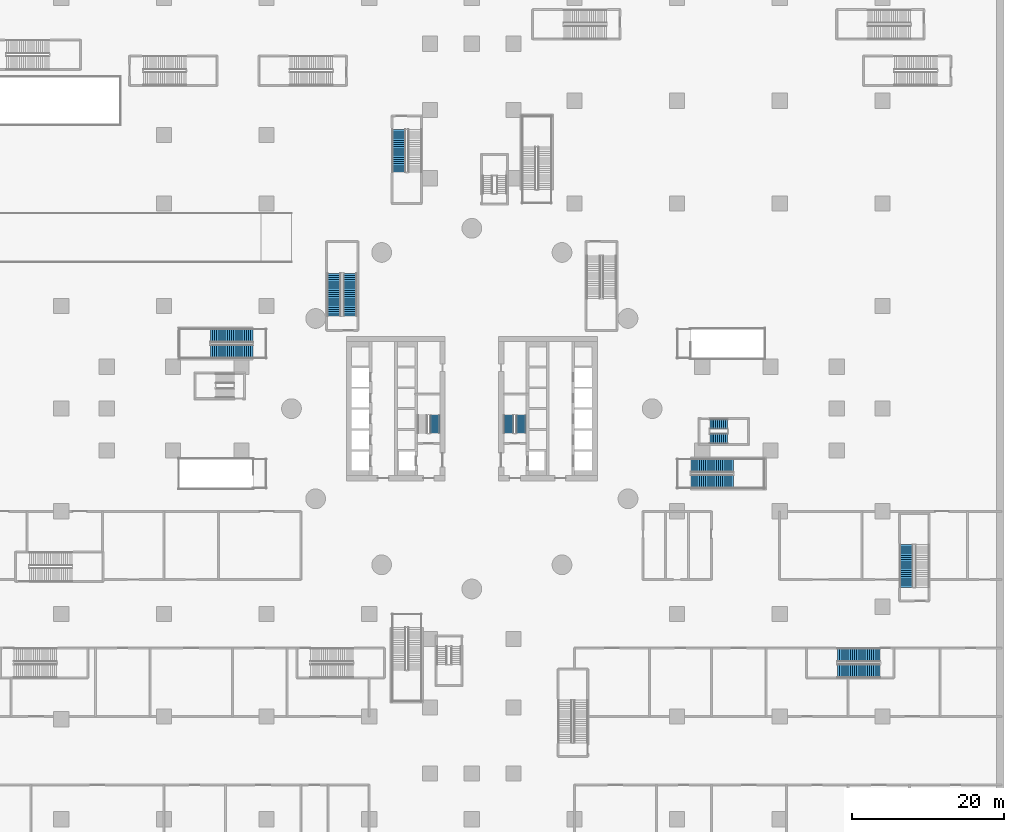
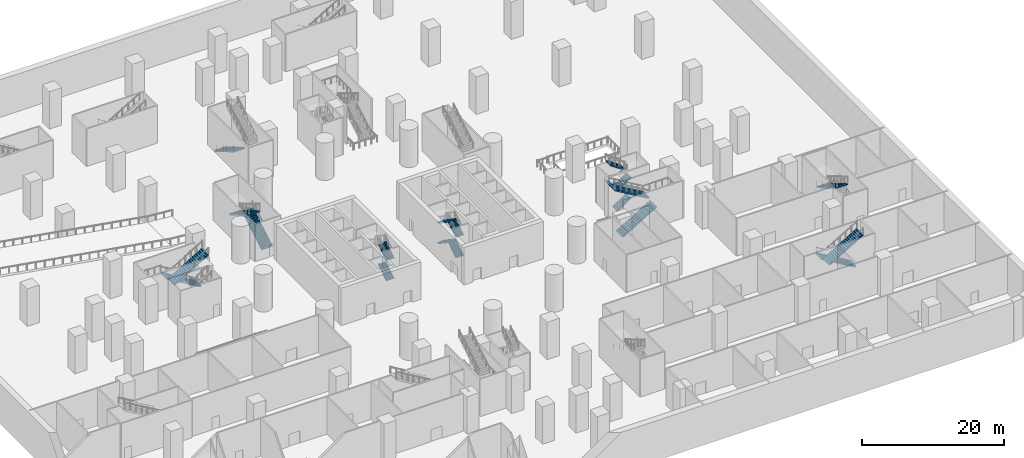
# One storey, part 17 of 37: 20 stair flights, 9 elements without a shape of their own.
"""IFC4 building model written with IfcOpenShell, lengths in metres."""

from ifc_helpers import new_model, si_unit, direction, frame, origin, place, context, subcontext, project, spatial, polyline, outline, extrude, material, type_object, element, aggregate, save


model = new_model("IFC4")

# Units and contexts
model_context = context("Model", 3, precision=1e-05, world=origin(), true_north=direction((0.0, 1.0)))
body_context = subcontext(model_context, "Body", "Model", "MODEL_VIEW")
ifc_project = project(units=[si_unit("LENGTHUNIT", "METRE"), si_unit("AREAUNIT", "SQUARE_METRE"), si_unit("VOLUMEUNIT", "CUBIC_METRE"), si_unit("PLANEANGLEUNIT", "RADIAN"), si_unit("MASSUNIT", "GRAM", prefix="KILO")], contexts=[model_context])

# Site, building, storey
site_placement = place(None, origin())
site = spatial("IfcSite", under=ifc_project, at=site_placement, CompositionType="ELEMENT")
building_placement = place(site_placement, origin())
building = spatial("IfcBuilding", under=site, at=building_placement, Name="Tamarind Cross Interchange Tower", CompositionType="ELEMENT")
storey_placement = place(building_placement, frame((0.0, 0.0, -7.0)))
storey = spatial("IfcBuildingStorey", under=building, at=storey_placement, Name="B1", CompositionType="ELEMENT", Elevation=-7.0)

# Stair, stair flights
ifc_material_1 = material(Name="Exit stair")
stair_type_1 = type_object("IfcStairType", Name="Exit stair", PredefinedType="HALF_TURN_STAIR", material=ifc_material_1)
stair_1_placement = place(storey_placement, origin())
stair_1 = element("IfcStair", 1, at=stair_1_placement, inside=storey, type_object=stair_type_1, Name="B1 exit stair ST1", PredefinedType="HALF_TURN_STAIR")
ifc_material_2 = material(Name="Exit stair flight")
stair_flight_type_1 = type_object("IfcStairFlightType", Name="Exit stair flight", PredefinedType="STRAIGHT", material=ifc_material_2)
stair_flight_1_placement = place(storey_placement, frame((-4.85009765625, -3.199951171875, 0.0), z_axis=(0.0, 0.0, 1.0), x_axis=(0.0, 1.0, 0.0)))
stair_flight_1 = element("IfcStairFlight", 2, at=stair_flight_1_placement, type_object=stair_flight_type_1, Name="ST1 flight 1", NumberOfRisers=10, NumberOfTreads=9, PredefinedType="STRAIGHT", RiserHeight=0.175, TreadLength=0.26, context=body_context, shape_type="SweptSolid", body=[
    extrude(outline(polyline([(0.0, 0.0), (0.0, 0.175048828125), (0.260009765625, 0.175048828125), (0.260009765625, 0.35009765625), (0.52001953125, 0.35009765625), (0.52001953125, 0.52490234375), (0.780029296875, 0.52490234375), (0.780029296875, 0.699951171875), (1.0400390625, 0.699951171875), (1.0400390625, 0.875), (1.300048828125, 0.875), (1.300048828125, 1.050048828125), (1.56005859375, 1.050048828125), (1.56005859375, 1.22509765625), (1.820068359375, 1.22509765625), (1.820068359375, 1.39990234375), (2.080078125, 1.39990234375), (2.080078125, 1.574951171875), (2.340087890625, 1.574951171875), (2.340087890625, 1.75), (2.340087890625, 1.394287109375), (0.2685546875, 0.0), (0.0, 0.0)])), frame((0.0, 0.64990234375, 0.0), z_axis=(0.0, -1.0, 0.0), x_axis=(1.0, 0.0, 0.0)), (0.0, 0.0, 1.0), 1.300048828125),
])
stair_flight_2_placement = place(storey_placement, frame((-4.85009765625, -3.199951171875, 3.5), z_axis=(0.0, 0.0, 1.0), x_axis=(0.0, 1.0, 0.0)))
stair_flight_2 = element("IfcStairFlight", 3, at=stair_flight_2_placement, type_object=stair_flight_type_1, Name="ST1 flight 3", NumberOfRisers=10, NumberOfTreads=9, PredefinedType="STRAIGHT", RiserHeight=0.175, TreadLength=0.26, context=body_context, shape_type="SweptSolid", body=[
    extrude(outline(polyline([(0.0, 0.0), (0.0, 0.175048828125), (0.260009765625, 0.175048828125), (0.260009765625, 0.35009765625), (0.52001953125, 0.35009765625), (0.52001953125, 0.52490234375), (0.780029296875, 0.52490234375), (0.780029296875, 0.699951171875), (1.0400390625, 0.699951171875), (1.0400390625, 0.875), (1.300048828125, 0.875), (1.300048828125, 1.050048828125), (1.56005859375, 1.050048828125), (1.56005859375, 1.22509765625), (1.820068359375, 1.22509765625), (1.820068359375, 1.39990234375), (2.080078125, 1.39990234375), (2.080078125, 1.574951171875), (2.340087890625, 1.574951171875), (2.340087890625, 1.75), (2.340087890625, 1.394287109375), (0.2685546875, 0.0), (0.0, 0.0)])), frame((0.0, 0.64990234375, 0.0), z_axis=(0.0, -1.0, 0.0), x_axis=(1.0, 0.0, 0.0)), (0.0, 0.0, 1.0), 1.300048828125),
])
aggregate(stair_1, [stair_flight_1, stair_flight_2])

stair_2_placement = place(storey_placement, origin())
stair_2 = element("IfcStair", 4, at=stair_2_placement, inside=storey, type_object=stair_type_1, Name="B1 exit stair ST2", PredefinedType="HALF_TURN_STAIR")
stair_flight_3_placement = place(storey_placement, frame((6.5, -3.199951171875, 0.0), z_axis=(0.0, 0.0, 1.0), x_axis=(0.0, 1.0, 0.0)))
stair_flight_3 = element("IfcStairFlight", 5, at=stair_flight_3_placement, type_object=stair_flight_type_1, Name="ST2 flight 1", NumberOfRisers=10, NumberOfTreads=9, PredefinedType="STRAIGHT", RiserHeight=0.175, TreadLength=0.26, context=body_context, shape_type="SweptSolid", body=[
    extrude(outline(polyline([(0.0, 0.0), (0.0, 0.175048828125), (0.260009765625, 0.175048828125), (0.260009765625, 0.35009765625), (0.52001953125, 0.35009765625), (0.52001953125, 0.52490234375), (0.780029296875, 0.52490234375), (0.780029296875, 0.699951171875), (1.0400390625, 0.699951171875), (1.0400390625, 0.875), (1.300048828125, 0.875), (1.300048828125, 1.050048828125), (1.56005859375, 1.050048828125), (1.56005859375, 1.22509765625), (1.820068359375, 1.22509765625), (1.820068359375, 1.39990234375), (2.080078125, 1.39990234375), (2.080078125, 1.574951171875), (2.340087890625, 1.574951171875), (2.340087890625, 1.75), (2.340087890625, 1.394287109375), (0.2685546875, 0.0), (0.0, 0.0)])), frame((0.0, 0.64990234375, 0.0), z_axis=(0.0, -1.0, 0.0), x_axis=(1.0, 0.0, 0.0)), (0.0, 0.0, 1.0), 1.300048828125),
])
stair_flight_4_placement = place(storey_placement, frame((4.85009765625, -0.860107421875, 1.75), z_axis=(0.0, 0.0, 1.0), x_axis=(0.0, -1.0, 0.0)))
stair_flight_4 = element("IfcStairFlight", 6, at=stair_flight_4_placement, type_object=stair_flight_type_1, Name="ST2 flight 2", NumberOfRisers=10, NumberOfTreads=9, PredefinedType="STRAIGHT", RiserHeight=0.175, TreadLength=0.26, context=body_context, shape_type="SweptSolid", body=[
    extrude(outline(polyline([(0.0, 0.0), (0.0, 0.175048828125), (0.260009765625, 0.175048828125), (0.260009765625, 0.35009765625), (0.52001953125, 0.35009765625), (0.52001953125, 0.52490234375), (0.780029296875, 0.52490234375), (0.780029296875, 0.699951171875), (1.0400390625, 0.699951171875), (1.0400390625, 0.875), (1.300048828125, 0.875), (1.300048828125, 1.050048828125), (1.56005859375, 1.050048828125), (1.56005859375, 1.22509765625), (1.820068359375, 1.22509765625), (1.820068359375, 1.39990234375), (2.080078125, 1.39990234375), (2.080078125, 1.574951171875), (2.340087890625, 1.574951171875), (2.340087890625, 1.75), (2.340087890625, 1.394287109375), (0.2685546875, 0.0), (0.0, 0.0)])), frame((0.0, 0.64990234375, 0.0), z_axis=(0.0, -1.0, 0.0), x_axis=(1.0, 0.0, 0.0)), (0.0, 0.0, 1.0), 1.300048828125),
])
stair_flight_5_placement = place(storey_placement, frame((6.5, -3.199951171875, 3.5), z_axis=(0.0, 0.0, 1.0), x_axis=(0.0, 1.0, 0.0)))
stair_flight_5 = element("IfcStairFlight", 7, at=stair_flight_5_placement, type_object=stair_flight_type_1, Name="ST2 flight 3", NumberOfRisers=10, NumberOfTreads=9, PredefinedType="STRAIGHT", RiserHeight=0.175, TreadLength=0.26, context=body_context, shape_type="SweptSolid", body=[
    extrude(outline(polyline([(0.0, 0.0), (0.0, 0.175048828125), (0.260009765625, 0.175048828125), (0.260009765625, 0.35009765625), (0.52001953125, 0.35009765625), (0.52001953125, 0.52490234375), (0.780029296875, 0.52490234375), (0.780029296875, 0.699951171875), (1.0400390625, 0.699951171875), (1.0400390625, 0.875), (1.300048828125, 0.875), (1.300048828125, 1.050048828125), (1.56005859375, 1.050048828125), (1.56005859375, 1.22509765625), (1.820068359375, 1.22509765625), (1.820068359375, 1.39990234375), (2.080078125, 1.39990234375), (2.080078125, 1.574951171875), (2.340087890625, 1.574951171875), (2.340087890625, 1.75), (2.340087890625, 1.394287109375), (0.2685546875, 0.0), (0.0, 0.0)])), frame((0.0, 0.64990234375, 0.0), z_axis=(0.0, -1.0, 0.0), x_axis=(1.0, 0.0, 0.0)), (0.0, 0.0, 1.0), 1.300048828125),
])
stair_flight_6_placement = place(storey_placement, frame((4.85009765625, -0.860107421875, 5.25), z_axis=(0.0, 0.0, 1.0), x_axis=(0.0, -1.0, 0.0)))
stair_flight_6 = element("IfcStairFlight", 8, at=stair_flight_6_placement, type_object=stair_flight_type_1, Name="ST2 flight 4", NumberOfRisers=10, NumberOfTreads=9, PredefinedType="STRAIGHT", RiserHeight=0.175, TreadLength=0.26, context=body_context, shape_type="SweptSolid", body=[
    extrude(outline(polyline([(0.0, 0.0), (0.0, 0.175048828125), (0.260009765625, 0.175048828125), (0.260009765625, 0.35009765625), (0.52001953125, 0.35009765625), (0.52001953125, 0.52490234375), (0.780029296875, 0.52490234375), (0.780029296875, 0.699951171875), (1.0400390625, 0.699951171875), (1.0400390625, 0.875), (1.300048828125, 0.875), (1.300048828125, 1.050048828125), (1.56005859375, 1.050048828125), (1.56005859375, 1.22509765625), (1.820068359375, 1.22509765625), (1.820068359375, 1.39990234375), (2.080078125, 1.39990234375), (2.080078125, 1.574951171875), (2.340087890625, 1.574951171875), (2.340087890625, 1.75), (2.340087890625, 1.394287109375), (0.2685546875, 0.0), (0.0, 0.0)])), frame((0.0, 0.64990234375, 0.0), z_axis=(0.0, -1.0, 0.0), x_axis=(1.0, 0.0, 0.0)), (0.0, 0.0, 1.0), 1.300048828125),
])
aggregate(stair_2, [stair_flight_3, stair_flight_4, stair_flight_5, stair_flight_6])

stair_3_placement = place(storey_placement, origin())
stair_3 = element("IfcStair", 9, at=stair_3_placement, inside=storey, type_object=stair_type_1, Name="B1 exit stair ST3", PredefinedType="HALF_TURN_STAIR")
stair_flight_7_placement = place(storey_placement, frame((31.300048828125, -3.949951171875, 0.0), z_axis=(0.0, 0.0, 1.0), x_axis=(1.0, 0.0, 0.0)))
stair_flight_7 = element("IfcStairFlight", 10, at=stair_flight_7_placement, type_object=stair_flight_type_1, Name="ST3 flight 1", NumberOfRisers=10, NumberOfTreads=9, PredefinedType="STRAIGHT", RiserHeight=0.175, TreadLength=0.26, context=body_context, shape_type="SweptSolid", body=[
    extrude(outline(polyline([(0.0, 0.0), (0.0, 0.175048828125), (0.260009765625, 0.175048828125), (0.260009765625, 0.35009765625), (0.52001953125, 0.35009765625), (0.52001953125, 0.52490234375), (0.780029296875, 0.52490234375), (0.780029296875, 0.699951171875), (1.0400390625, 0.699951171875), (1.0400390625, 0.875), (1.300048828125, 0.875), (1.300048828125, 1.050048828125), (1.56005859375, 1.050048828125), (1.56005859375, 1.22509765625), (1.820068359375, 1.22509765625), (1.820068359375, 1.39990234375), (2.080078125, 1.39990234375), (2.080078125, 1.574951171875), (2.340087890625, 1.574951171875), (2.340087890625, 1.75), (2.340087890625, 1.394287109375), (0.2685546875, 0.0), (0.0, 0.0)])), frame((0.0, 0.64990234375, 0.0), z_axis=(0.0, -1.0, 0.0), x_axis=(1.0, 0.0, 0.0)), (0.0, 0.0, 1.0), 1.300048828125),
])
stair_flight_8_placement = place(storey_placement, frame((33.639892578125, -2.050048828125, 1.75), z_axis=(0.0, 0.0, 1.0), x_axis=(-1.0, 0.0, 0.0)))
stair_flight_8 = element("IfcStairFlight", 11, at=stair_flight_8_placement, type_object=stair_flight_type_1, Name="ST3 flight 2", NumberOfRisers=10, NumberOfTreads=9, PredefinedType="STRAIGHT", RiserHeight=0.175, TreadLength=0.26, context=body_context, shape_type="SweptSolid", body=[
    extrude(outline(polyline([(0.0, 0.0), (0.0, 0.175048828125), (0.260009765625, 0.175048828125), (0.260009765625, 0.35009765625), (0.52001953125, 0.35009765625), (0.52001953125, 0.52490234375), (0.780029296875, 0.52490234375), (0.780029296875, 0.699951171875), (1.0400390625, 0.699951171875), (1.0400390625, 0.875), (1.300048828125, 0.875), (1.300048828125, 1.050048828125), (1.56005859375, 1.050048828125), (1.56005859375, 1.22509765625), (1.820068359375, 1.22509765625), (1.820068359375, 1.39990234375), (2.080078125, 1.39990234375), (2.080078125, 1.574951171875), (2.340087890625, 1.574951171875), (2.340087890625, 1.75), (2.340087890625, 1.394287109375), (0.2685546875, 0.0), (0.0, 0.0)])), frame((0.0, 0.64990234375, 0.0), z_axis=(0.0, -1.0, 0.0), x_axis=(1.0, 0.0, 0.0)), (0.0, 0.0, 1.0), 1.300048828125),
])
stair_flight_9_placement = place(storey_placement, frame((31.300048828125, -3.949951171875, 3.5), z_axis=(0.0, 0.0, 1.0), x_axis=(1.0, 0.0, 0.0)))
stair_flight_9 = element("IfcStairFlight", 12, at=stair_flight_9_placement, type_object=stair_flight_type_1, Name="ST3 flight 3", NumberOfRisers=10, NumberOfTreads=9, PredefinedType="STRAIGHT", RiserHeight=0.175, TreadLength=0.26, context=body_context, shape_type="SweptSolid", body=[
    extrude(outline(polyline([(0.0, 0.0), (0.0, 0.175048828125), (0.260009765625, 0.175048828125), (0.260009765625, 0.35009765625), (0.52001953125, 0.35009765625), (0.52001953125, 0.52490234375), (0.780029296875, 0.52490234375), (0.780029296875, 0.699951171875), (1.0400390625, 0.699951171875), (1.0400390625, 0.875), (1.300048828125, 0.875), (1.300048828125, 1.050048828125), (1.56005859375, 1.050048828125), (1.56005859375, 1.22509765625), (1.820068359375, 1.22509765625), (1.820068359375, 1.39990234375), (2.080078125, 1.39990234375), (2.080078125, 1.574951171875), (2.340087890625, 1.574951171875), (2.340087890625, 1.75), (2.340087890625, 1.394287109375), (0.2685546875, 0.0), (0.0, 0.0)])), frame((0.0, 0.64990234375, 0.0), z_axis=(0.0, -1.0, 0.0), x_axis=(1.0, 0.0, 0.0)), (0.0, 0.0, 1.0), 1.300048828125),
])
stair_flight_10_placement = place(storey_placement, frame((33.639892578125, -2.050048828125, 5.25), z_axis=(0.0, 0.0, 1.0), x_axis=(-1.0, 0.0, 0.0)))
stair_flight_10 = element("IfcStairFlight", 13, at=stair_flight_10_placement, type_object=stair_flight_type_1, Name="ST3 flight 4", NumberOfRisers=10, NumberOfTreads=9, PredefinedType="STRAIGHT", RiserHeight=0.175, TreadLength=0.26, context=body_context, shape_type="SweptSolid", body=[
    extrude(outline(polyline([(0.0, 0.0), (0.0, 0.175048828125), (0.260009765625, 0.175048828125), (0.260009765625, 0.35009765625), (0.52001953125, 0.35009765625), (0.52001953125, 0.52490234375), (0.780029296875, 0.52490234375), (0.780029296875, 0.699951171875), (1.0400390625, 0.699951171875), (1.0400390625, 0.875), (1.300048828125, 0.875), (1.300048828125, 1.050048828125), (1.56005859375, 1.050048828125), (1.56005859375, 1.22509765625), (1.820068359375, 1.22509765625), (1.820068359375, 1.39990234375), (2.080078125, 1.39990234375), (2.080078125, 1.574951171875), (2.340087890625, 1.574951171875), (2.340087890625, 1.75), (2.340087890625, 1.394287109375), (0.2685546875, 0.0), (0.0, 0.0)])), frame((0.0, 0.64990234375, 0.0), z_axis=(0.0, -1.0, 0.0), x_axis=(1.0, 0.0, 0.0)), (0.0, 0.0, 1.0), 1.300048828125),
])
aggregate(stair_3, [stair_flight_7, stair_flight_8, stair_flight_9, stair_flight_10])

ifc_material_3 = material(Name="Public stair")
stair_type_2 = type_object("IfcStairType", Name="Public stair", PredefinedType="HALF_TURN_STAIR", material=ifc_material_3)
stair_4_placement = place(storey_placement, origin())
stair_4 = element("IfcStair", 14, at=stair_4_placement, inside=storey, type_object=stair_type_2, Name="B1 public stair PS-E", PredefinedType="HALF_TURN_STAIR")
ifc_material_4 = material(Name="Public stair flight")
stair_flight_type_2 = type_object("IfcStairFlightType", Name="Public stair flight", PredefinedType="STRAIGHT", material=ifc_material_4)
stair_flight_11_placement = place(storey_placement, frame((28.800048828125, -9.60009765625, 0.0), z_axis=(0.0, 0.0, 1.0), x_axis=(1.0, 0.0, 0.0)))
stair_flight_11 = element("IfcStairFlight", 15, at=stair_flight_11_placement, type_object=stair_flight_type_2, Name="PS-E flight 1", NumberOfRisers=21, NumberOfTreads=20, PredefinedType="STRAIGHT", RiserHeight=0.166666667, TreadLength=0.28, context=body_context, shape_type="SweptSolid", body=[
    extrude(outline(polyline([(0.0, 0.0), (0.0, 0.166748046875), (0.280029296875, 0.166748046875), (0.280029296875, 0.333251953125), (0.56005859375, 0.333251953125), (0.56005859375, 0.5), (0.840087890625, 0.5), (0.840087890625, 0.666748046875), (1.1201171875, 0.666748046875), (1.1201171875, 0.833251953125), (1.39990234375, 0.833251953125), (1.39990234375, 1.0), (1.679931640625, 1.0), (1.679931640625, 1.166748046875), (1.9599609375, 1.166748046875), (1.9599609375, 1.333251953125), (2.239990234375, 1.333251953125), (2.239990234375, 1.5), (2.52001953125, 1.5), (2.52001953125, 1.666748046875), (2.800048828125, 1.666748046875), (2.800048828125, 1.833251953125), (3.080078125, 1.833251953125), (3.080078125, 2.0), (3.360107421875, 2.0), (3.360107421875, 2.166748046875), (3.639892578125, 2.166748046875), (3.639892578125, 2.333251953125), (3.919921875, 2.333251953125), (3.919921875, 2.5), (4.199951171875, 2.5), (4.199951171875, 2.666748046875), (4.47998046875, 2.666748046875), (4.47998046875, 2.833251953125), (4.760009765625, 2.833251953125), (4.760009765625, 3.0), (5.0400390625, 3.0), (5.0400390625, 3.166748046875), (5.320068359375, 3.166748046875), (5.320068359375, 3.333251953125), (5.60009765625, 3.333251953125), (5.60009765625, 3.5), (5.60009765625, 3.158935546875), (0.29296875, 0.0), (0.0, 0.0)])), frame((0.0, 0.89990234375, 0.0), z_axis=(0.0, -1.0, 0.0), x_axis=(1.0, 0.0, 0.0)), (0.0, 0.0, 1.0), 1.800048828125),
])
stair_flight_12_placement = place(storey_placement, frame((34.39990234375, -7.5, 3.5), z_axis=(0.0, 0.0, 1.0), x_axis=(-1.0, 0.0, 0.0)))
stair_flight_12 = element("IfcStairFlight", 16, at=stair_flight_12_placement, type_object=stair_flight_type_2, Name="PS-E flight 2", NumberOfRisers=21, NumberOfTreads=20, PredefinedType="STRAIGHT", RiserHeight=0.166666667, TreadLength=0.28, context=body_context, shape_type="SweptSolid", body=[
    extrude(outline(polyline([(0.0, 0.0), (0.0, 0.166748046875), (0.280029296875, 0.166748046875), (0.280029296875, 0.333251953125), (0.56005859375, 0.333251953125), (0.56005859375, 0.5), (0.840087890625, 0.5), (0.840087890625, 0.666748046875), (1.1201171875, 0.666748046875), (1.1201171875, 0.833251953125), (1.39990234375, 0.833251953125), (1.39990234375, 1.0), (1.679931640625, 1.0), (1.679931640625, 1.166748046875), (1.9599609375, 1.166748046875), (1.9599609375, 1.333251953125), (2.239990234375, 1.333251953125), (2.239990234375, 1.5), (2.52001953125, 1.5), (2.52001953125, 1.666748046875), (2.800048828125, 1.666748046875), (2.800048828125, 1.833251953125), (3.080078125, 1.833251953125), (3.080078125, 2.0), (3.360107421875, 2.0), (3.360107421875, 2.166748046875), (3.639892578125, 2.166748046875), (3.639892578125, 2.333251953125), (3.919921875, 2.333251953125), (3.919921875, 2.5), (4.199951171875, 2.5), (4.199951171875, 2.666748046875), (4.47998046875, 2.666748046875), (4.47998046875, 2.833251953125), (4.760009765625, 2.833251953125), (4.760009765625, 3.0), (5.0400390625, 3.0), (5.0400390625, 3.166748046875), (5.320068359375, 3.166748046875), (5.320068359375, 3.333251953125), (5.60009765625, 3.333251953125), (5.60009765625, 3.5), (5.60009765625, 3.158935546875), (0.29296875, 0.0), (0.0, 0.0)])), frame((0.0, 0.89990234375, 0.0), z_axis=(0.0, -1.0, 0.0), x_axis=(1.0, 0.0, 0.0)), (0.0, 0.0, 1.0), 1.800048828125),
])
aggregate(stair_4, [stair_flight_11, stair_flight_12])

stair_5_placement = place(storey_placement, origin())
stair_5 = element("IfcStair", 17, at=stair_5_placement, inside=storey, type_object=stair_type_2, Name="B1 public stair PS-W", PredefinedType="HALF_TURN_STAIR")
stair_flight_13_placement = place(storey_placement, frame((-28.800048828125, 9.60009765625, 0.0), z_axis=(0.0, 0.0, 1.0), x_axis=(-1.0, 0.0, 0.0)))
stair_flight_13 = element("IfcStairFlight", 18, at=stair_flight_13_placement, type_object=stair_flight_type_2, Name="PS-W flight 1", NumberOfRisers=21, NumberOfTreads=20, PredefinedType="STRAIGHT", RiserHeight=0.166666667, TreadLength=0.28, context=body_context, shape_type="SweptSolid", body=[
    extrude(outline(polyline([(0.0, 0.0), (0.0, 0.166748046875), (0.280029296875, 0.166748046875), (0.280029296875, 0.333251953125), (0.56005859375, 0.333251953125), (0.56005859375, 0.5), (0.840087890625, 0.5), (0.840087890625, 0.666748046875), (1.1201171875, 0.666748046875), (1.1201171875, 0.833251953125), (1.39990234375, 0.833251953125), (1.39990234375, 1.0), (1.679931640625, 1.0), (1.679931640625, 1.166748046875), (1.9599609375, 1.166748046875), (1.9599609375, 1.333251953125), (2.239990234375, 1.333251953125), (2.239990234375, 1.5), (2.52001953125, 1.5), (2.52001953125, 1.666748046875), (2.800048828125, 1.666748046875), (2.800048828125, 1.833251953125), (3.080078125, 1.833251953125), (3.080078125, 2.0), (3.360107421875, 2.0), (3.360107421875, 2.166748046875), (3.639892578125, 2.166748046875), (3.639892578125, 2.333251953125), (3.919921875, 2.333251953125), (3.919921875, 2.5), (4.199951171875, 2.5), (4.199951171875, 2.666748046875), (4.47998046875, 2.666748046875), (4.47998046875, 2.833251953125), (4.760009765625, 2.833251953125), (4.760009765625, 3.0), (5.0400390625, 3.0), (5.0400390625, 3.166748046875), (5.320068359375, 3.166748046875), (5.320068359375, 3.333251953125), (5.60009765625, 3.333251953125), (5.60009765625, 3.5), (5.60009765625, 3.158935546875), (0.29296875, 0.0), (0.0, 0.0)])), frame((0.0, 0.89990234375, 0.0), z_axis=(0.0, -1.0, 0.0), x_axis=(1.0, 0.0, 0.0)), (0.0, 0.0, 1.0), 1.800048828125),
])
stair_flight_14_placement = place(storey_placement, frame((-34.39990234375, 7.5, 3.5), z_axis=(0.0, 0.0, 1.0), x_axis=(1.0, 0.0, 0.0)))
stair_flight_14 = element("IfcStairFlight", 19, at=stair_flight_14_placement, type_object=stair_flight_type_2, Name="PS-W flight 2", NumberOfRisers=21, NumberOfTreads=20, PredefinedType="STRAIGHT", RiserHeight=0.166666667, TreadLength=0.28, context=body_context, shape_type="SweptSolid", body=[
    extrude(outline(polyline([(0.0, 0.0), (0.0, 0.166748046875), (0.280029296875, 0.166748046875), (0.280029296875, 0.333251953125), (0.56005859375, 0.333251953125), (0.56005859375, 0.5), (0.840087890625, 0.5), (0.840087890625, 0.666748046875), (1.1201171875, 0.666748046875), (1.1201171875, 0.833251953125), (1.39990234375, 0.833251953125), (1.39990234375, 1.0), (1.679931640625, 1.0), (1.679931640625, 1.166748046875), (1.9599609375, 1.166748046875), (1.9599609375, 1.333251953125), (2.239990234375, 1.333251953125), (2.239990234375, 1.5), (2.52001953125, 1.5), (2.52001953125, 1.666748046875), (2.800048828125, 1.666748046875), (2.800048828125, 1.833251953125), (3.080078125, 1.833251953125), (3.080078125, 2.0), (3.360107421875, 2.0), (3.360107421875, 2.166748046875), (3.639892578125, 2.166748046875), (3.639892578125, 2.333251953125), (3.919921875, 2.333251953125), (3.919921875, 2.5), (4.199951171875, 2.5), (4.199951171875, 2.666748046875), (4.47998046875, 2.666748046875), (4.47998046875, 2.833251953125), (4.760009765625, 2.833251953125), (4.760009765625, 3.0), (5.0400390625, 3.0), (5.0400390625, 3.166748046875), (5.320068359375, 3.166748046875), (5.320068359375, 3.333251953125), (5.60009765625, 3.333251953125), (5.60009765625, 3.5), (5.60009765625, 3.158935546875), (0.29296875, 0.0), (0.0, 0.0)])), frame((0.0, 0.89990234375, 0.0), z_axis=(0.0, -1.0, 0.0), x_axis=(1.0, 0.0, 0.0)), (0.0, 0.0, 1.0), 1.800048828125),
])
aggregate(stair_5, [stair_flight_13, stair_flight_14])

stair_6_placement = place(storey_placement, origin())
stair_6 = element("IfcStair", 20, at=stair_6_placement, inside=storey, type_object=stair_type_2, Name="B1 exit stair XS-W", PredefinedType="HALF_TURN_STAIR")
stair_flight_15_placement = place(storey_placement, frame((-16.0, 12.199951171875, 0.0), z_axis=(0.0, 0.0, 1.0), x_axis=(0.0, 1.0, 0.0)))
stair_flight_15 = element("IfcStairFlight", 21, at=stair_flight_15_placement, type_object=stair_flight_type_2, Name="XS-W flight 1", NumberOfRisers=21, NumberOfTreads=20, PredefinedType="STRAIGHT", RiserHeight=0.166666667, TreadLength=0.28, context=body_context, shape_type="SweptSolid", body=[
    extrude(outline(polyline([(0.0, 0.0), (0.0, 0.166748046875), (0.280029296875, 0.166748046875), (0.280029296875, 0.333251953125), (0.56005859375, 0.333251953125), (0.56005859375, 0.5), (0.840087890625, 0.5), (0.840087890625, 0.666748046875), (1.1201171875, 0.666748046875), (1.1201171875, 0.833251953125), (1.39990234375, 0.833251953125), (1.39990234375, 1.0), (1.679931640625, 1.0), (1.679931640625, 1.166748046875), (1.9599609375, 1.166748046875), (1.9599609375, 1.333251953125), (2.239990234375, 1.333251953125), (2.239990234375, 1.5), (2.52001953125, 1.5), (2.52001953125, 1.666748046875), (2.800048828125, 1.666748046875), (2.800048828125, 1.833251953125), (3.080078125, 1.833251953125), (3.080078125, 2.0), (3.360107421875, 2.0), (3.360107421875, 2.166748046875), (3.639892578125, 2.166748046875), (3.639892578125, 2.333251953125), (3.919921875, 2.333251953125), (3.919921875, 2.5), (4.199951171875, 2.5), (4.199951171875, 2.666748046875), (4.47998046875, 2.666748046875), (4.47998046875, 2.833251953125), (4.760009765625, 2.833251953125), (4.760009765625, 3.0), (5.0400390625, 3.0), (5.0400390625, 3.166748046875), (5.320068359375, 3.166748046875), (5.320068359375, 3.333251953125), (5.60009765625, 3.333251953125), (5.60009765625, 3.5), (5.60009765625, 3.158935546875), (0.29296875, 0.0), (0.0, 0.0)])), frame((0.0, 0.89990234375, 0.0), z_axis=(0.0, -1.0, 0.0), x_axis=(1.0, 0.0, 0.0)), (0.0, 0.0, 1.0), 1.800048828125),
])
stair_flight_16_placement = place(storey_placement, frame((-18.10009765625, 17.800048828125, 3.5), z_axis=(0.0, 0.0, 1.0), x_axis=(0.0, -1.0, 0.0)))
stair_flight_16 = element("IfcStairFlight", 22, at=stair_flight_16_placement, type_object=stair_flight_type_2, Name="XS-W flight 2", NumberOfRisers=21, NumberOfTreads=20, PredefinedType="STRAIGHT", RiserHeight=0.166666667, TreadLength=0.28, context=body_context, shape_type="SweptSolid", body=[
    extrude(outline(polyline([(0.0, 0.0), (0.0, 0.166748046875), (0.280029296875, 0.166748046875), (0.280029296875, 0.333251953125), (0.56005859375, 0.333251953125), (0.56005859375, 0.5), (0.840087890625, 0.5), (0.840087890625, 0.666748046875), (1.1201171875, 0.666748046875), (1.1201171875, 0.833251953125), (1.39990234375, 0.833251953125), (1.39990234375, 1.0), (1.679931640625, 1.0), (1.679931640625, 1.166748046875), (1.9599609375, 1.166748046875), (1.9599609375, 1.333251953125), (2.239990234375, 1.333251953125), (2.239990234375, 1.5), (2.52001953125, 1.5), (2.52001953125, 1.666748046875), (2.800048828125, 1.666748046875), (2.800048828125, 1.833251953125), (3.080078125, 1.833251953125), (3.080078125, 2.0), (3.360107421875, 2.0), (3.360107421875, 2.166748046875), (3.639892578125, 2.166748046875), (3.639892578125, 2.333251953125), (3.919921875, 2.333251953125), (3.919921875, 2.5), (4.199951171875, 2.5), (4.199951171875, 2.666748046875), (4.47998046875, 2.666748046875), (4.47998046875, 2.833251953125), (4.760009765625, 2.833251953125), (4.760009765625, 3.0), (5.0400390625, 3.0), (5.0400390625, 3.166748046875), (5.320068359375, 3.166748046875), (5.320068359375, 3.333251953125), (5.60009765625, 3.333251953125), (5.60009765625, 3.5), (5.60009765625, 3.158935546875), (0.29296875, 0.0), (0.0, 0.0)])), frame((0.0, 0.89990234375, 0.0), z_axis=(0.0, -1.0, 0.0), x_axis=(1.0, 0.0, 0.0)), (0.0, 0.0, 1.0), 1.800048828125),
])
aggregate(stair_6, [stair_flight_15, stair_flight_16])

stair_7_placement = place(storey_placement, origin())
stair_7 = element("IfcStair", 23, at=stair_7_placement, inside=storey, type_object=stair_type_2, Name="B1 exit stair XS-P10", PredefinedType="HALF_TURN_STAIR")
stair_flight_17_placement = place(storey_placement, frame((53.699951171875, -32.39990234375, 0.0), z_axis=(0.0, 0.0, 1.0), x_axis=(-1.0, 0.0, 0.0)))
stair_flight_17 = element("IfcStairFlight", 24, at=stair_flight_17_placement, type_object=stair_flight_type_2, Name="XS-P10 flight 1", NumberOfRisers=21, NumberOfTreads=20, PredefinedType="STRAIGHT", RiserHeight=0.166666667, TreadLength=0.28, context=body_context, shape_type="SweptSolid", body=[
    extrude(outline(polyline([(0.0, 0.0), (0.0, 0.166748046875), (0.280029296875, 0.166748046875), (0.280029296875, 0.333251953125), (0.56005859375, 0.333251953125), (0.56005859375, 0.5), (0.840087890625, 0.5), (0.840087890625, 0.666748046875), (1.1201171875, 0.666748046875), (1.1201171875, 0.833251953125), (1.39990234375, 0.833251953125), (1.39990234375, 1.0), (1.679931640625, 1.0), (1.679931640625, 1.166748046875), (1.9599609375, 1.166748046875), (1.9599609375, 1.333251953125), (2.239990234375, 1.333251953125), (2.239990234375, 1.5), (2.52001953125, 1.5), (2.52001953125, 1.666748046875), (2.800048828125, 1.666748046875), (2.800048828125, 1.833251953125), (3.080078125, 1.833251953125), (3.080078125, 2.0), (3.360107421875, 2.0), (3.360107421875, 2.166748046875), (3.639892578125, 2.166748046875), (3.639892578125, 2.333251953125), (3.919921875, 2.333251953125), (3.919921875, 2.5), (4.199951171875, 2.5), (4.199951171875, 2.666748046875), (4.47998046875, 2.666748046875), (4.47998046875, 2.833251953125), (4.760009765625, 2.833251953125), (4.760009765625, 3.0), (5.0400390625, 3.0), (5.0400390625, 3.166748046875), (5.320068359375, 3.166748046875), (5.320068359375, 3.333251953125), (5.60009765625, 3.333251953125), (5.60009765625, 3.5), (5.60009765625, 3.158935546875), (0.29296875, 0.0), (0.0, 0.0)])), frame((0.0, 0.89990234375, 0.0), z_axis=(0.0, -1.0, 0.0), x_axis=(1.0, 0.0, 0.0)), (0.0, 0.0, 1.0), 1.800048828125),
])
stair_flight_18_placement = place(storey_placement, frame((48.10009765625, -34.5, 3.5), z_axis=(0.0, 0.0, 1.0), x_axis=(1.0, 0.0, 0.0)))
stair_flight_18 = element("IfcStairFlight", 25, at=stair_flight_18_placement, type_object=stair_flight_type_2, Name="XS-P10 flight 2", NumberOfRisers=21, NumberOfTreads=20, PredefinedType="STRAIGHT", RiserHeight=0.166666667, TreadLength=0.28, context=body_context, shape_type="SweptSolid", body=[
    extrude(outline(polyline([(0.0, 0.0), (0.0, 0.166748046875), (0.280029296875, 0.166748046875), (0.280029296875, 0.333251953125), (0.56005859375, 0.333251953125), (0.56005859375, 0.5), (0.840087890625, 0.5), (0.840087890625, 0.666748046875), (1.1201171875, 0.666748046875), (1.1201171875, 0.833251953125), (1.39990234375, 0.833251953125), (1.39990234375, 1.0), (1.679931640625, 1.0), (1.679931640625, 1.166748046875), (1.9599609375, 1.166748046875), (1.9599609375, 1.333251953125), (2.239990234375, 1.333251953125), (2.239990234375, 1.5), (2.52001953125, 1.5), (2.52001953125, 1.666748046875), (2.800048828125, 1.666748046875), (2.800048828125, 1.833251953125), (3.080078125, 1.833251953125), (3.080078125, 2.0), (3.360107421875, 2.0), (3.360107421875, 2.166748046875), (3.639892578125, 2.166748046875), (3.639892578125, 2.333251953125), (3.919921875, 2.333251953125), (3.919921875, 2.5), (4.199951171875, 2.5), (4.199951171875, 2.666748046875), (4.47998046875, 2.666748046875), (4.47998046875, 2.833251953125), (4.760009765625, 2.833251953125), (4.760009765625, 3.0), (5.0400390625, 3.0), (5.0400390625, 3.166748046875), (5.320068359375, 3.166748046875), (5.320068359375, 3.333251953125), (5.60009765625, 3.333251953125), (5.60009765625, 3.5), (5.60009765625, 3.158935546875), (0.29296875, 0.0), (0.0, 0.0)])), frame((0.0, 0.89990234375, 0.0), z_axis=(0.0, -1.0, 0.0), x_axis=(1.0, 0.0, 0.0)), (0.0, 0.0, 1.0), 1.800048828125),
])
aggregate(stair_7, [stair_flight_17, stair_flight_18])

# Stair, stair flight
stair_8_placement = place(storey_placement, origin())
stair_8 = element("IfcStair", 26, at=stair_8_placement, inside=storey, type_object=stair_type_2, Name="B1 exit stair XS-P11", PredefinedType="HALF_TURN_STAIR")
stair_flight_19_placement = place(storey_placement, frame((57.14990234375, -17.89990234375, 3.5), z_axis=(0.0, 0.0, 1.0), x_axis=(0.0, -1.0, 0.0)))
stair_flight_19 = element("IfcStairFlight", 27, at=stair_flight_19_placement, type_object=stair_flight_type_2, Name="XS-P11 flight 2", NumberOfRisers=21, NumberOfTreads=20, PredefinedType="STRAIGHT", RiserHeight=0.166666667, TreadLength=0.28, context=body_context, shape_type="SweptSolid", body=[
    extrude(outline(polyline([(0.0, 0.0), (0.0, 0.166748046875), (0.280029296875, 0.166748046875), (0.280029296875, 0.333251953125), (0.56005859375, 0.333251953125), (0.56005859375, 0.5), (0.840087890625, 0.5), (0.840087890625, 0.666748046875), (1.1201171875, 0.666748046875), (1.1201171875, 0.833251953125), (1.39990234375, 0.833251953125), (1.39990234375, 1.0), (1.679931640625, 1.0), (1.679931640625, 1.166748046875), (1.9599609375, 1.166748046875), (1.9599609375, 1.333251953125), (2.239990234375, 1.333251953125), (2.239990234375, 1.5), (2.52001953125, 1.5), (2.52001953125, 1.666748046875), (2.800048828125, 1.666748046875), (2.800048828125, 1.833251953125), (3.080078125, 1.833251953125), (3.080078125, 2.0), (3.360107421875, 2.0), (3.360107421875, 2.166748046875), (3.639892578125, 2.166748046875), (3.639892578125, 2.333251953125), (3.919921875, 2.333251953125), (3.919921875, 2.5), (4.199951171875, 2.5), (4.199951171875, 2.666748046875), (4.47998046875, 2.666748046875), (4.47998046875, 2.833251953125), (4.760009765625, 2.833251953125), (4.760009765625, 3.0), (5.0400390625, 3.0), (5.0400390625, 3.166748046875), (5.320068359375, 3.166748046875), (5.320068359375, 3.333251953125), (5.60009765625, 3.333251953125), (5.60009765625, 3.5), (5.60009765625, 3.158935546875), (0.29296875, 0.0), (0.0, 0.0)])), frame((0.0, 0.89990234375, 0.0), z_axis=(0.0, -1.0, 0.0), x_axis=(1.0, 0.0, 0.0)), (0.0, 0.0, 1.0), 1.800048828125),
])
aggregate(stair_8, [stair_flight_19])

stair_9_placement = place(storey_placement, origin())
stair_9 = element("IfcStair", 28, at=stair_9_placement, inside=storey, type_object=stair_type_2, Name="B1 exit stair XS-P13", PredefinedType="HALF_TURN_STAIR")
stair_flight_20_placement = place(storey_placement, frame((-9.60009765625, 36.699951171875, 0.0), z_axis=(0.0, 0.0, 1.0), x_axis=(0.0, -1.0, 0.0)))
stair_flight_20 = element("IfcStairFlight", 29, at=stair_flight_20_placement, type_object=stair_flight_type_2, Name="XS-P13 flight 1", NumberOfRisers=21, NumberOfTreads=20, PredefinedType="STRAIGHT", RiserHeight=0.166666667, TreadLength=0.28, context=body_context, shape_type="SweptSolid", body=[
    extrude(outline(polyline([(0.0, 0.0), (0.0, 0.166748046875), (0.280029296875, 0.166748046875), (0.280029296875, 0.333251953125), (0.56005859375, 0.333251953125), (0.56005859375, 0.5), (0.840087890625, 0.5), (0.840087890625, 0.666748046875), (1.1201171875, 0.666748046875), (1.1201171875, 0.833251953125), (1.39990234375, 0.833251953125), (1.39990234375, 1.0), (1.679931640625, 1.0), (1.679931640625, 1.166748046875), (1.9599609375, 1.166748046875), (1.9599609375, 1.333251953125), (2.239990234375, 1.333251953125), (2.239990234375, 1.5), (2.52001953125, 1.5), (2.52001953125, 1.666748046875), (2.800048828125, 1.666748046875), (2.800048828125, 1.833251953125), (3.080078125, 1.833251953125), (3.080078125, 2.0), (3.360107421875, 2.0), (3.360107421875, 2.166748046875), (3.639892578125, 2.166748046875), (3.639892578125, 2.333251953125), (3.919921875, 2.333251953125), (3.919921875, 2.5), (4.199951171875, 2.5), (4.199951171875, 2.666748046875), (4.47998046875, 2.666748046875), (4.47998046875, 2.833251953125), (4.760009765625, 2.833251953125), (4.760009765625, 3.0), (5.0400390625, 3.0), (5.0400390625, 3.166748046875), (5.320068359375, 3.166748046875), (5.320068359375, 3.333251953125), (5.60009765625, 3.333251953125), (5.60009765625, 3.5), (5.60009765625, 3.158935546875), (0.29296875, 0.0), (0.0, 0.0)])), frame((0.0, 0.89990234375, 0.0), z_axis=(0.0, -1.0, 0.0), x_axis=(1.0, 0.0, 0.0)), (0.0, 0.0, 1.0), 1.800048828125),
])
aggregate(stair_9, [stair_flight_20])

save(model, "model.ifc")
